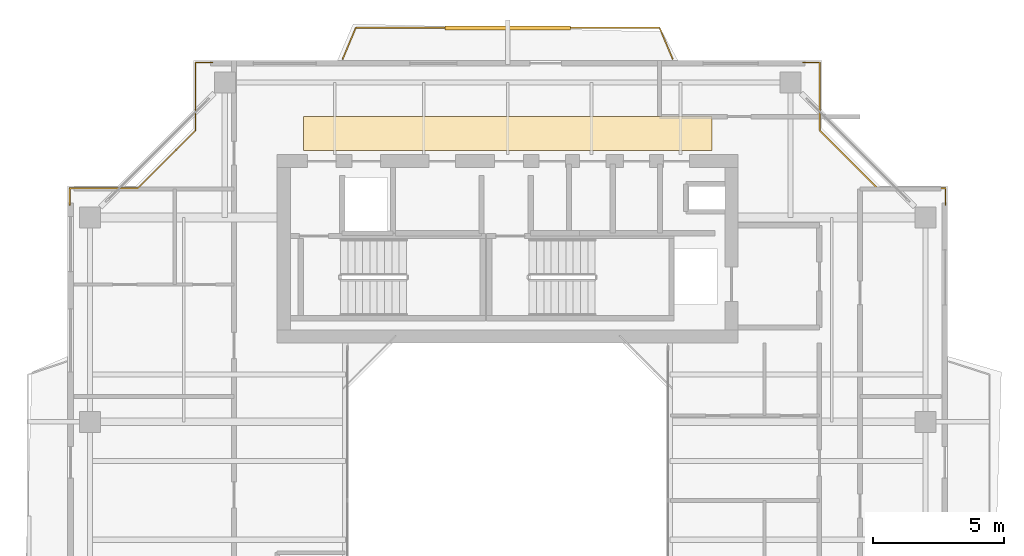
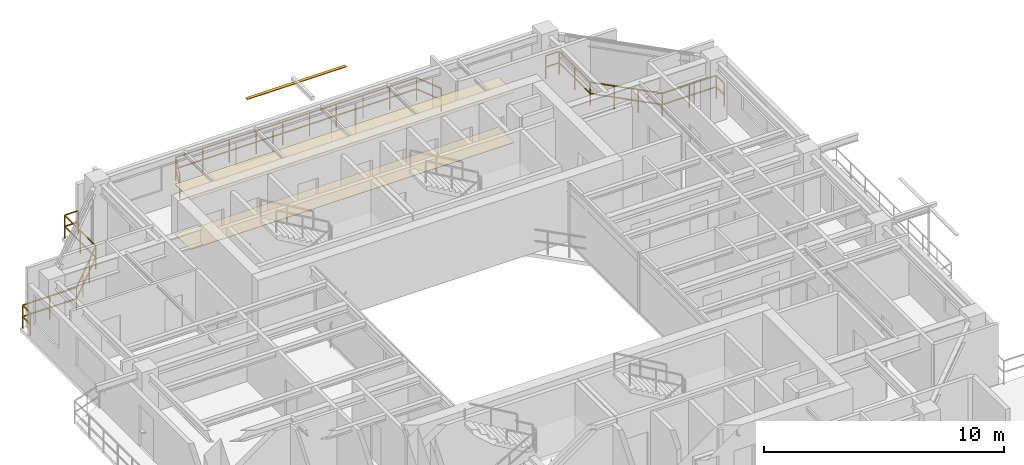
# One storey, part 16 of 16: 3 railings, 2 coverings, 1 shading device.
"""IFC4 building model written with IfcOpenShell, lengths in metres."""

from ifc_helpers import new_model, si_unit, direction, frame, origin, origin_2d, place, context, subcontext, project, spatial, polyline, rectangle, outline, extrude, source, transform, mapped, material, layer, layer_set, material_profile, profile_set, type_object, element, save


model = new_model("IFC4")

# Units and contexts
model_context = context("Model", 3, precision=1e-05, world=origin(), true_north=direction((0.0, 1.0)))
body_context = subcontext(model_context, "Body", "Model", "MODEL_VIEW")
ifc_project = project(units=[si_unit("LENGTHUNIT", "METRE"), si_unit("AREAUNIT", "SQUARE_METRE"), si_unit("VOLUMEUNIT", "CUBIC_METRE"), si_unit("PLANEANGLEUNIT", "RADIAN"), si_unit("MASSUNIT", "GRAM", prefix="KILO"), si_unit("THERMODYNAMICTEMPERATUREUNIT", "KELVIN"), si_unit("POWERUNIT", "WATT")], contexts=[model_context])

# Site, building, storey
site_placement = place(None, origin())
site = spatial("IfcSite", under=ifc_project, at=site_placement, CompositionType="ELEMENT")
building_placement = place(site_placement, origin())
building = spatial("IfcBuilding", under=site, at=building_placement, Name="Qiaomeng Ring Towers", CompositionType="ELEMENT")
storey_placement = place(building_placement, frame((0.0, 0.0, 203.5)))
storey = spatial("IfcBuildingStorey", under=building, at=storey_placement, Name="L59", CompositionType="ELEMENT", Elevation=203.5)

# Coverings
ifc_material_1 = material(Name="Moisture-resistant gypsum ceiling board", Category="gypsum")
ifc_layer_1 = layer(ifc_material_1, 0.030029296875, Name="Moisture-resistant gypsum ceiling board")
ifc_layer_set_1 = layer_set([ifc_layer_1], Name="Moisture-resistant gypsum ceiling board")
covering_type_1 = type_object("IfcCoveringType", Name="ARC-COV-CEIL2", PredefinedType="CEILING", material=ifc_layer_set_1)
covering_1_placement = place(storey_placement, frame((0.0, 0.0, 2.550048828125)))
element("IfcCovering", 1, at=covering_1_placement, inside=storey, type_object=covering_type_1, Name="L59 Corridor Acoustic Ceiling", PredefinedType="CEILING", context=body_context, shape_type="SweptSolid", body=[
    extrude(outline(polyline([(11.199951171875, 36.35009765625), (11.199951171875, 37.64990234375), (26.800048828125, 37.64990234375), (26.800048828125, 36.35009765625), (11.199951171875, 36.35009765625)])), origin(), (0.0, 0.0, 1.0), 0.02490234375),
])
ifc_material_2 = material(Name="Vitrified porcelain floor tile", Category="ceramic")
ifc_layer_2 = layer(ifc_material_2, 0.02001953125, Name="Vitrified porcelain floor tile")
ifc_layer_set_2 = layer_set([ifc_layer_2], Name="Vitrified porcelain floor tile")
covering_type_2 = type_object("IfcCoveringType", Name="ARC-COV-FLR1", PredefinedType="FLOORING", material=ifc_layer_set_2)
covering_2_placement = place(storey_placement, origin())
element("IfcCovering", 2, at=covering_2_placement, inside=storey, type_object=covering_type_2, Name="L59 Corridor Stone Flooring", PredefinedType="FLOORING", context=body_context, shape_type="SweptSolid", body=[
    extrude(outline(polyline([(11.199951171875, 36.35009765625), (11.199951171875, 37.64990234375), (26.800048828125, 37.64990234375), (26.800048828125, 36.35009765625), (11.199951171875, 36.35009765625)])), origin(), (0.0, 0.0, 1.0), 0.02001953125),
])

# Railings
ifc_material_3 = material(Name="Low-E pale-green laminated safety glass", Category="glass")
railing_type = type_object("IfcRailingType", Name="ARC-RL-BAL1", PredefinedType="BALUSTRADE", material=ifc_material_3)
railing_1_placement = place(storey_placement, frame((35.719970703125, 34.27001953125, 0.0)))
element("IfcRailing", 3, at=railing_1_placement, inside=storey, type_object=railing_type, Name="L59 Balustrade ARC-BAL-NOTCH1-L59-NE", PredefinedType="BALUSTRADE", context=body_context, shape_type="SweptSolid", body=[
    extrude(rectangle(XDim=0.048095703125, YDim=0.048095703125, at=origin_2d()), frame((0.0, 0.0, 1.17578125), z_axis=(0.0, 1.0, 0.0), x_axis=(-1.0, 0.0, 0.0)), (0.0, 0.0, 1.0), 0.64990234375),
    extrude(rectangle(XDim=0.048095703125, YDim=0.048095703125, at=origin_2d()), frame((0.0, 0.0, 0.60009765625), z_axis=(0.0, 1.0, 0.0), x_axis=(-1.0, 0.0, 0.0)), (0.0, 0.0, 1.0), 0.64990234375),
    extrude(rectangle(XDim=0.048095703125, YDim=0.048095703125, at=origin_2d()), frame((0.0, 0.64990234375, 1.17578125), z_axis=(-1.0, 0.0, 0.0), x_axis=(0.0, -1.0, 0.0)), (0.0, 0.0, 1.0), 2.599853515625),
    extrude(rectangle(XDim=0.048095703125, YDim=0.048095703125, at=origin_2d()), frame((0.0, 0.64990234375, 0.60009765625), z_axis=(-1.0, 0.0, 0.0), x_axis=(0.0, -1.0, 0.0)), (0.0, 0.0, 1.0), 2.599853515625),
    extrude(rectangle(XDim=0.048095703125, YDim=0.048095703125, at=origin_2d()), frame((-2.599853515625, 0.64990234375, 1.17578125), z_axis=(-0.707106781187, 0.707106781187, 0.0), x_axis=(-0.707106781187, -0.707106781187, 0.0)), (0.0, 0.0, 1.0), 3.111572265625),
    extrude(rectangle(XDim=0.048095703125, YDim=0.048095703125, at=origin_2d()), frame((-2.599853515625, 0.64990234375, 0.60009765625), z_axis=(-0.707106781187, 0.707106781187, 0.0), x_axis=(-0.707106781187, -0.707106781187, 0.0)), (0.0, 0.0, 1.0), 3.111572265625),
    extrude(rectangle(XDim=0.048095703125, YDim=0.048095703125, at=origin_2d()), frame((-4.800048828125, 2.85009765625, 1.17578125), z_axis=(0.0, 1.0, 0.0), x_axis=(-1.0, 0.0, 0.0)), (0.0, 0.0, 1.0), 2.599853515625),
    extrude(rectangle(XDim=0.048095703125, YDim=0.048095703125, at=origin_2d()), frame((-4.800048828125, 2.85009765625, 0.60009765625), z_axis=(0.0, 1.0, 0.0), x_axis=(-1.0, 0.0, 0.0)), (0.0, 0.0, 1.0), 2.599853515625),
    extrude(rectangle(XDim=0.048095703125, YDim=0.048095703125, at=origin_2d()), frame((-4.800048828125, 5.449951171875, 1.17578125), z_axis=(-1.0, 0.0, 0.0), x_axis=(0.0, -1.0, 0.0)), (0.0, 0.0, 1.0), 0.64990234375),
    extrude(rectangle(XDim=0.048095703125, YDim=0.048095703125, at=origin_2d()), frame((-4.800048828125, 5.449951171875, 0.60009765625), z_axis=(-1.0, 0.0, 0.0), x_axis=(0.0, -1.0, 0.0)), (0.0, 0.0, 1.0), 0.64990234375),
    extrude(rectangle(XDim=0.0419921875, YDim=0.0419921875, at=origin_2d()), origin(), (0.0, 0.0, 1.0), 1.15185546875),
    extrude(rectangle(XDim=0.0419921875, YDim=0.0419921875, at=origin_2d()), frame((0.0, 0.64990234375, 0.0)), (0.0, 0.0, 1.0), 1.15185546875),
    extrude(rectangle(XDim=0.0419921875, YDim=0.0419921875, at=origin_2d()), frame((-1.2998046875, 0.64990234375, 0.0)), (0.0, 0.0, 1.0), 1.15185546875),
    extrude(rectangle(XDim=0.0419921875, YDim=0.0419921875, at=origin_2d()), frame((-2.599853515625, 0.64990234375, 0.0)), (0.0, 0.0, 1.0), 1.15185546875),
    extrude(rectangle(XDim=0.0419921875, YDim=0.0419921875, at=origin_2d()), frame((-3.333251953125, 1.38330078125, 0.0)), (0.0, 0.0, 1.0), 1.15185546875),
    extrude(rectangle(XDim=0.0419921875, YDim=0.0419921875, at=origin_2d()), frame((-4.066650390625, 2.11669921875, 0.0)), (0.0, 0.0, 1.0), 1.15185546875),
    extrude(rectangle(XDim=0.0419921875, YDim=0.0419921875, at=origin_2d()), frame((-4.800048828125, 2.85009765625, 0.0)), (0.0, 0.0, 1.0), 1.15185546875),
    extrude(rectangle(XDim=0.0419921875, YDim=0.0419921875, at=origin_2d()), frame((-4.800048828125, 4.14990234375, 0.0)), (0.0, 0.0, 1.0), 1.15185546875),
    extrude(rectangle(XDim=0.0419921875, YDim=0.0419921875, at=origin_2d()), frame((-4.800048828125, 5.449951171875, 0.0)), (0.0, 0.0, 1.0), 1.15185546875),
    extrude(rectangle(XDim=0.0419921875, YDim=0.0419921875, at=origin_2d()), frame((-5.449951171875, 5.449951171875, 0.0)), (0.0, 0.0, 1.0), 1.15185546875),
])
railing_2_placement = place(storey_placement, frame((7.72998046875, 39.719970703125, 0.0)))
element("IfcRailing", 4, at=railing_2_placement, inside=storey, type_object=railing_type, Name="L59 Balustrade ARC-BAL-NOTCH1-L59-NW", PredefinedType="BALUSTRADE", context=body_context, shape_type="SweptSolid", body=[
    extrude(rectangle(XDim=0.048095703125, YDim=0.048095703125, at=origin_2d()), frame((0.0, 0.0, 1.17578125), z_axis=(-1.0, 0.0, 0.0), x_axis=(0.0, -1.0, 0.0)), (0.0, 0.0, 1.0), 0.64990234375),
    extrude(rectangle(XDim=0.048095703125, YDim=0.048095703125, at=origin_2d()), frame((0.0, 0.0, 0.60009765625), z_axis=(-1.0, 0.0, 0.0), x_axis=(0.0, -1.0, 0.0)), (0.0, 0.0, 1.0), 0.64990234375),
    extrude(rectangle(XDim=0.048095703125, YDim=0.048095703125, at=origin_2d()), frame((-0.64990234375, 0.0, 1.17578125), z_axis=(0.0, -1.0, 0.0), x_axis=(1.0, 0.0, 0.0)), (0.0, 0.0, 1.0), 2.599853515625),
    extrude(rectangle(XDim=0.048095703125, YDim=0.048095703125, at=origin_2d()), frame((-0.64990234375, 0.0, 0.60009765625), z_axis=(0.0, -1.0, 0.0), x_axis=(1.0, 0.0, 0.0)), (0.0, 0.0, 1.0), 2.599853515625),
    extrude(rectangle(XDim=0.048095703125, YDim=0.048095703125, at=origin_2d()), frame((-0.64990234375, -2.599853515625, 1.17578125), z_axis=(-0.707106781187, -0.707106781187, 0.0), x_axis=(0.707106781187, -0.707106781187, 0.0)), (0.0, 0.0, 1.0), 3.111572265625),
    extrude(rectangle(XDim=0.048095703125, YDim=0.048095703125, at=origin_2d()), frame((-0.64990234375, -2.599853515625, 0.60009765625), z_axis=(-0.707106781187, -0.707106781187, 0.0), x_axis=(0.707106781187, -0.707106781187, 0.0)), (0.0, 0.0, 1.0), 3.111572265625),
    extrude(rectangle(XDim=0.048095703125, YDim=0.048095703125, at=origin_2d()), frame((-2.85009765625, -4.800048828125, 1.17578125), z_axis=(-1.0, 0.0, 0.0), x_axis=(0.0, -1.0, 0.0)), (0.0, 0.0, 1.0), 2.599853515625),
    extrude(rectangle(XDim=0.048095703125, YDim=0.048095703125, at=origin_2d()), frame((-2.85009765625, -4.800048828125, 0.60009765625), z_axis=(-1.0, 0.0, 0.0), x_axis=(0.0, -1.0, 0.0)), (0.0, 0.0, 1.0), 2.599853515625),
    extrude(rectangle(XDim=0.048095703125, YDim=0.048095703125, at=origin_2d()), frame((-5.449951171875, -4.800048828125, 1.17578125), z_axis=(0.0, -1.0, 0.0), x_axis=(1.0, 0.0, 0.0)), (0.0, 0.0, 1.0), 0.64990234375),
    extrude(rectangle(XDim=0.048095703125, YDim=0.048095703125, at=origin_2d()), frame((-5.449951171875, -4.800048828125, 0.60009765625), z_axis=(0.0, -1.0, 0.0), x_axis=(1.0, 0.0, 0.0)), (0.0, 0.0, 1.0), 0.64990234375),
    extrude(rectangle(XDim=0.0419921875, YDim=0.0419921875, at=origin_2d()), origin(), (0.0, 0.0, 1.0), 1.15185546875),
    extrude(rectangle(XDim=0.0419921875, YDim=0.0419921875, at=origin_2d()), frame((-0.64990234375, 0.0, 0.0)), (0.0, 0.0, 1.0), 1.15185546875),
    extrude(rectangle(XDim=0.0419921875, YDim=0.0419921875, at=origin_2d()), frame((-0.64990234375, -1.2998046875, 0.0)), (0.0, 0.0, 1.0), 1.15185546875),
    extrude(rectangle(XDim=0.0419921875, YDim=0.0419921875, at=origin_2d()), frame((-0.64990234375, -2.599853515625, 0.0)), (0.0, 0.0, 1.0), 1.15185546875),
    extrude(rectangle(XDim=0.0419921875, YDim=0.0419921875, at=origin_2d()), frame((-1.38330078125, -3.333251953125, 0.0)), (0.0, 0.0, 1.0), 1.15185546875),
    extrude(rectangle(XDim=0.0419921875, YDim=0.0419921875, at=origin_2d()), frame((-2.11669921875, -4.066650390625, 0.0)), (0.0, 0.0, 1.0), 1.15185546875),
    extrude(rectangle(XDim=0.0419921875, YDim=0.0419921875, at=origin_2d()), frame((-2.85009765625, -4.800048828125, 0.0)), (0.0, 0.0, 1.0), 1.15185546875),
    extrude(rectangle(XDim=0.0419921875, YDim=0.0419921875, at=origin_2d()), frame((-4.14990234375, -4.800048828125, 0.0)), (0.0, 0.0, 1.0), 1.15185546875),
    extrude(rectangle(XDim=0.0419921875, YDim=0.0419921875, at=origin_2d()), frame((-5.449951171875, -4.800048828125, 0.0)), (0.0, 0.0, 1.0), 1.15185546875),
    extrude(rectangle(XDim=0.0419921875, YDim=0.0419921875, at=origin_2d()), frame((-5.449951171875, -5.449951171875, 0.0)), (0.0, 0.0, 1.0), 1.15185546875),
])
railing_3_placement = place(storey_placement, frame((12.699951171875, 39.85009765625, 0.0)))
element("IfcRailing", 5, at=railing_3_placement, inside=storey, type_object=railing_type, Name="L59 Balustrade ARC-BAL-L59-T1-N", PredefinedType="BALUSTRADE", context=body_context, shape_type="SweptSolid", body=[
    extrude(rectangle(XDim=0.048095703125, YDim=0.048095703125, at=origin_2d()), frame((0.0, 0.0, 1.17578125), z_axis=(0.387380404006, 0.921919965394, 0.0), x_axis=(-0.921919965394, 0.387380404006, 0.0)), (0.0, 0.0, 1.0), 1.290771484375),
    extrude(rectangle(XDim=0.048095703125, YDim=0.048095703125, at=origin_2d()), frame((0.0, 0.0, 0.60009765625), z_axis=(0.387380404006, 0.921919965394, 0.0), x_axis=(-0.921919965394, 0.387380404006, 0.0)), (0.0, 0.0, 1.0), 1.290771484375),
    extrude(rectangle(XDim=0.048095703125, YDim=0.048095703125, at=origin_2d()), frame((0.5, 1.18994140625, 1.17578125), z_axis=(1.0, 0.0, 0.0), x_axis=(0.0, 1.0, 0.0)), (0.0, 0.0, 1.0), 11.60009765625),
    extrude(rectangle(XDim=0.048095703125, YDim=0.048095703125, at=origin_2d()), frame((0.5, 1.18994140625, 0.60009765625), z_axis=(1.0, 0.0, 0.0), x_axis=(0.0, 1.0, 0.0)), (0.0, 0.0, 1.0), 11.60009765625),
    extrude(rectangle(XDim=0.048095703125, YDim=0.048095703125, at=origin_2d()), frame((12.10009765625, 1.18994140625, 1.17578125), z_axis=(0.387380404006, -0.921919965394, 0.0), x_axis=(0.921919965394, 0.387380404006, 0.0)), (0.0, 0.0, 1.0), 1.290771484375),
    extrude(rectangle(XDim=0.048095703125, YDim=0.048095703125, at=origin_2d()), frame((12.10009765625, 1.18994140625, 0.60009765625), z_axis=(0.387380404006, -0.921919965394, 0.0), x_axis=(0.921919965394, 0.387380404006, 0.0)), (0.0, 0.0, 1.0), 1.290771484375),
    extrude(rectangle(XDim=0.0419921875, YDim=0.0419921875, at=origin_2d()), origin(), (0.0, 0.0, 1.0), 1.15185546875),
    extrude(rectangle(XDim=0.0419921875, YDim=0.0419921875, at=origin_2d()), frame((0.5, 1.18994140625, 0.0)), (0.0, 0.0, 1.0), 1.15185546875),
    extrude(rectangle(XDim=0.0419921875, YDim=0.0419921875, at=origin_2d()), frame((1.788818359375, 1.18994140625, 0.0)), (0.0, 0.0, 1.0), 1.15185546875),
    extrude(rectangle(XDim=0.0419921875, YDim=0.0419921875, at=origin_2d()), frame((3.077880859375, 1.18994140625, 0.0)), (0.0, 0.0, 1.0), 1.15185546875),
    extrude(rectangle(XDim=0.0419921875, YDim=0.0419921875, at=origin_2d()), frame((4.36669921875, 1.18994140625, 0.0)), (0.0, 0.0, 1.0), 1.15185546875),
    extrude(rectangle(XDim=0.0419921875, YDim=0.0419921875, at=origin_2d()), frame((5.655517578125, 1.18994140625, 0.0)), (0.0, 0.0, 1.0), 1.15185546875),
    extrude(rectangle(XDim=0.0419921875, YDim=0.0419921875, at=origin_2d()), frame((6.944580078125, 1.18994140625, 0.0)), (0.0, 0.0, 1.0), 1.15185546875),
    extrude(rectangle(XDim=0.0419921875, YDim=0.0419921875, at=origin_2d()), frame((8.2333984375, 1.18994140625, 0.0)), (0.0, 0.0, 1.0), 1.15185546875),
    extrude(rectangle(XDim=0.0419921875, YDim=0.0419921875, at=origin_2d()), frame((9.522216796875, 1.18994140625, 0.0)), (0.0, 0.0, 1.0), 1.15185546875),
    extrude(rectangle(XDim=0.0419921875, YDim=0.0419921875, at=origin_2d()), frame((10.811279296875, 1.18994140625, 0.0)), (0.0, 0.0, 1.0), 1.15185546875),
    extrude(rectangle(XDim=0.0419921875, YDim=0.0419921875, at=origin_2d()), frame((12.10009765625, 1.18994140625, 0.0)), (0.0, 0.0, 1.0), 1.15185546875),
    extrude(rectangle(XDim=0.0419921875, YDim=0.0419921875, at=origin_2d()), frame((12.60009765625, 0.0, 0.0)), (0.0, 0.0, 1.0), 1.15185546875),
])

# Shading device
ifc_material_4 = material(Name="Fluorocarbon dark-grey aluminium", Category="aluminium")
ifc_material_profile = material_profile(ifc_material_4, rectangle(XDim=0.14990234375, YDim=0.034912109375, at=origin_2d()), Name="LV BLADE 150x35")
ifc_profile_set = profile_set([ifc_material_profile], Name="Fluorocarbon dark-grey aluminium")
shading_device_type = type_object("IfcShadingDeviceType", Name="ARC-SHD-SUN", PredefinedType="AWNING", material=ifc_profile_set)
shared_shape = source(origin(), body_context, "Body", "SweptSolid", [
    extrude(rectangle(XDim=0.14990234375, YDim=0.034912109375, at=origin_2d()), origin(), (0.0, 0.0, 1.0), 4.7998046875),
])
shading_device_placement = place(storey_placement, frame((16.60009765625, 41.0400390625, 2.969970703125), z_axis=(1.0, 0.0, 0.0), x_axis=(0.0, 1.0, 0.0)))
element("IfcShadingDevice", 6, at=shading_device_placement, inside=storey, type_object=shading_device_type, Name="L59 Ventilated Outer-Skin Sunshade N", PredefinedType="AWNING", context=body_context, shape_type="MappedRepresentation", body=[
    mapped(shared_shape, transform((0.0, 0.0, 0.0), x_axis=(1.0, 0.0, 0.0), y_axis=(0.0, 1.0, 0.0), z_axis=(0.0, 0.0, 1.0), scale=1.0)),
])

save(model, "model.ifc")
